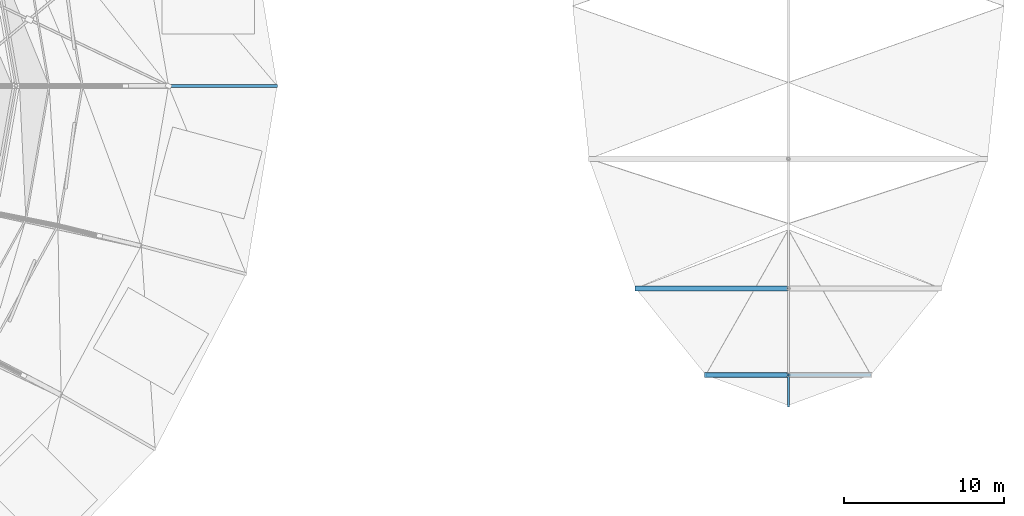
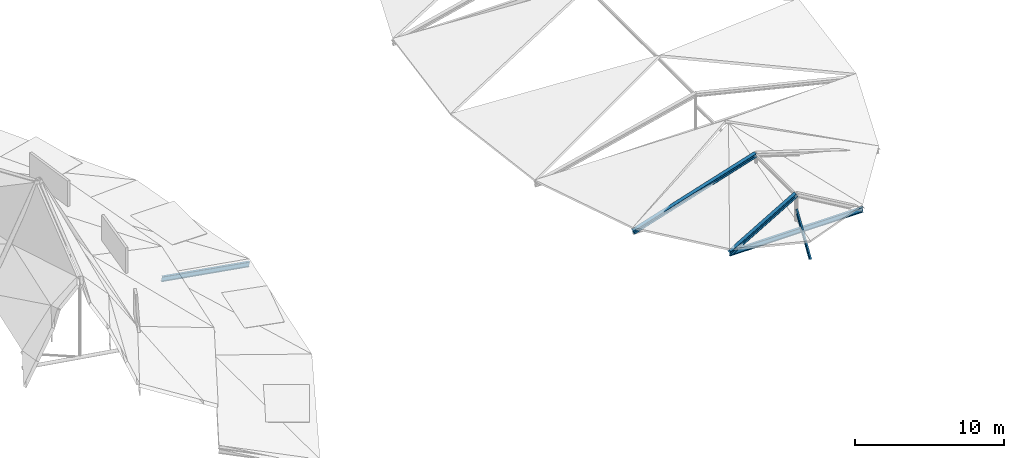
# One storey, part 19 of 36: 3 members, 2 beams.
"""IFC4 building model written with IfcOpenShell, lengths in metres."""

import ifcopenshell
import ifcopenshell.guid

model = None  # the IFC model being written
_history = None  # IfcOwnerHistory: only IFC2X3 demands one
_inside = {}  # id of a spatial element -> (the spatial element, [elements in it])
_under = {}  # id of a project, library or spatial element -> (it, [spatial elements below it])
_declared = {}  # id of a project -> (the project, [libraries it declares])
_typed = {}  # id of a type object -> (the type object, [elements of that type])
_made_of = {}  # id of a material, layer set ... -> (it, [elements and type objects made of it])


def new_model(schema):
    """Start an empty IFC model of exactly this schema.

    Asked for "IFC4X3", IfcOpenShell would pick the latest addendum, in which some entities
    have other attributes; the version numbers below select the first issue.
    IFC2X3 requires an IfcOwnerHistory on every rooted entity: one is made here for all.
    """
    global model, _history
    if schema == "IFC4X3":
        model = ifcopenshell.file(schema_version=(4, 3, 0, 0))
    else:
        model = ifcopenshell.file(schema=schema)
    _inside.clear()
    _under.clear()
    _declared.clear()
    _typed.clear()
    _made_of.clear()
    _history = None
    if model.schema == "IFC2X3":
        org = make("IfcOrganization", Name="unknown")
        user = make(
            "IfcPersonAndOrganization",
            ThePerson=make("IfcPerson", FamilyName="unknown"),
            TheOrganization=org,
        )
        app = make(
            "IfcApplication",
            ApplicationDeveloper=org,
            Version="unknown",
            ApplicationFullName="unknown",
            ApplicationIdentifier="unknown",
        )
        _history = make(
            "IfcOwnerHistory",
            OwningUser=user,
            OwningApplication=app,
            ChangeAction="ADDED",
            CreationDate=0,
        )
    return model


def make(cls, **values):
    """One entity of the class cls with the attributes given. An attribute that is None is left unset."""
    return model.create_entity(
        cls, **{name: value for name, value in values.items() if value is not None}
    )


def rooted(cls, **values):
    """An entity with a GlobalId (a new one), such as an element, a storey or a relation."""
    return make(cls, GlobalId=ifcopenshell.guid.new(), OwnerHistory=_history, **values)


def si_unit(unit_type, name, prefix=None):
    """IfcSIUnit, for example si_unit("LENGTHUNIT", "METRE", prefix="MILLI")."""
    return make("IfcSIUnit", UnitType=unit_type, Prefix=prefix, Name=name)


def assignment(units):
    """IfcUnitAssignment: the units of a project."""
    return None if units is None else make("IfcUnitAssignment", Units=units)


def point(xyz):
    """IfcCartesianPoint."""
    return None if xyz is None else make("IfcCartesianPoint", Coordinates=xyz)


def direction(xyz):
    """IfcDirection."""
    return None if xyz is None else make("IfcDirection", DirectionRatios=xyz)


def frame(location, z_axis=None, x_axis=None):
    """IfcAxis2Placement3D, a coordinate frame: its origin and axes. An axis left out is left unset."""
    return make(
        "IfcAxis2Placement3D",
        Location=point(location),
        Axis=direction(z_axis),
        RefDirection=direction(x_axis),
    )


def frame_2d(location, x_axis=None):
    """IfcAxis2Placement2D, a coordinate frame in the plane: its origin and x axis."""
    return make(
        "IfcAxis2Placement2D", Location=point(location), RefDirection=direction(x_axis)
    )


def origin():
    """The frame at (0, 0, 0) with its axes left unset."""
    return frame((0.0, 0.0, 0.0))


def origin_2d():
    """The frame at (0, 0) in the plane with its x axis left unset."""
    return frame_2d((0.0, 0.0))


def place(relative_to, where):
    """IfcLocalPlacement: puts the frame where relative to a parent placement (None: the world)."""
    return make(
        "IfcLocalPlacement", PlacementRelTo=relative_to, RelativePlacement=where
    )


def context(
    kind, dimensions, precision=None, world=None, true_north=None, identifier=None
):
    """IfcGeometricRepresentationContext, for example the 3D "Model" context."""
    return make(
        "IfcGeometricRepresentationContext",
        ContextIdentifier=identifier,
        ContextType=kind,
        CoordinateSpaceDimension=dimensions,
        Precision=precision,
        WorldCoordinateSystem=world,
        TrueNorth=true_north,
    )


def subcontext(parent, identifier, kind, view, scale=None):
    """IfcGeometricRepresentationSubContext, for example "Body" below "Model"."""
    return make(
        "IfcGeometricRepresentationSubContext",
        ContextIdentifier=identifier,
        ContextType=kind,
        ParentContext=parent,
        TargetScale=scale,
        TargetView=view,
    )


def project(units=None, contexts=None):
    """IfcProject with its units and contexts."""
    return rooted(
        "IfcProject",
        Name="project",
        RepresentationContexts=contexts,
        UnitsInContext=assignment(units),
    )


def spatial(cls, under=None, at=None, **own):
    """A site, building, storey or space (cls), placed at a placement, below another one or the project."""
    s = rooted(cls, ObjectPlacement=at, **own)
    if under is not None:
        _under.setdefault(under.id(), (under, []))[1].append(s)
    return s


def profile(cls, at=None, kind="AREA", **sizes):
    """A parametric profile (cls). Its sizes go by their IFC names, for example OverallWidth=200.0."""
    return make(cls, ProfileType=kind, Position=at, **sizes)


def i_section(**sizes):
    """IfcIShapeProfileDef."""
    return profile("IfcIShapeProfileDef", **sizes)


def extrude(swept, where, along, depth):
    """IfcExtrudedAreaSolid: the profile swept, set in the frame where, extruded along a direction by depth."""
    return make(
        "IfcExtrudedAreaSolid",
        SweptArea=swept,
        Position=where,
        ExtrudedDirection=direction(along),
        Depth=depth,
    )


def shape(context_of_items, identifier, shape_type, items):
    """IfcShapeRepresentation: the items that make up one representation, for example the "Body"."""
    return make(
        "IfcShapeRepresentation",
        ContextOfItems=context_of_items,
        RepresentationIdentifier=identifier,
        RepresentationType=shape_type,
        Items=items,
    )


def material(Name=None, Category=None):
    """IfcMaterial."""
    return make("IfcMaterial", Name=Name, Category=Category)


def material_profile(
    of_material, cross_section, Name=None, Category=None, Priority=None
):
    """IfcMaterialProfile: a cross section and its material."""
    return make(
        "IfcMaterialProfile",
        Name=Name,
        Material=of_material,
        Profile=cross_section,
        Priority=Priority,
        Category=Category,
    )


def profile_set(profiles, Name=None, composite=None):
    """IfcMaterialProfileSet."""
    return make(
        "IfcMaterialProfileSet",
        Name=Name,
        MaterialProfiles=profiles,
        CompositeProfile=composite,
    )


def made_of(thing, what):
    """Note that an element or type object is made of a material, layer set ...; save() writes the relation."""
    if what is not None:
        _made_of.setdefault(what.id(), (what, []))[1].append(thing)
    return thing


def type_object(cls, material=None, **own):
    """A type object (cls), such as IfcWallType, which elements share."""
    return made_of(rooted(cls, **own), material)


def element(
    cls,
    number,
    at=None,
    inside=None,
    cuts=None,
    type_object=None,
    material=None,
    context=None,
    identifier="Body",
    shape_type=None,
    held_by="IfcProductDefinitionShape",
    body=None,
    shapes=None,
    **own,
):
    """One element of the class cls, such as IfcWall. Its Tag is "e" and its number.

    at: its placement. inside: the storey or other place that contains it. cuts: it is an
    opening in that element (IfcRelVoidsElement). A single representation is given by context,
    identifier, shape_type and body (its items); several are given by shapes. held_by: the class
    of the entity that holds the representations. save() writes the other relations.
    """
    e = rooted(cls, Tag="e%d" % number, ObjectPlacement=at, **own)
    if body is not None:
        shapes = [shape(context, identifier, shape_type, body)]
    if shapes is not None:
        e.Representation = make(held_by, Representations=shapes)
    if inside is not None:
        _inside.setdefault(inside.id(), (inside, []))[1].append(e)
    if cuts is not None:
        rooted(
            "IfcRelVoidsElement", RelatingBuildingElement=cuts, RelatedOpeningElement=e
        )
    if type_object is not None:
        _typed.setdefault(type_object.id(), (type_object, []))[1].append(e)
    return made_of(e, material)


def aggregate(whole, parts):
    """IfcRelAggregates: a whole, such as a stair, and the parts it consists of."""
    return rooted("IfcRelAggregates", RelatingObject=whole, RelatedObjects=parts)


def save(model, path):
    """Write the relations noted so far, then the file.

    IfcRelAggregates (storeys below a building ...), IfcRelContainedInSpatialStructure (elements
    in a storey), IfcRelDefinesByType, IfcRelAssociatesMaterial and IfcRelDeclares: one each for
    every whole, place, type object, material and project.
    """
    for whole, parts in _under.values():
        aggregate(whole, parts)
    for where, things in _inside.values():
        rooted(
            "IfcRelContainedInSpatialStructure",
            RelatedElements=things,
            RelatingStructure=where,
        )
    for kind, things in _typed.values():
        rooted("IfcRelDefinesByType", RelatedObjects=things, RelatingType=kind)
    for what, things in _made_of.values():
        rooted("IfcRelAssociatesMaterial", RelatedObjects=things, RelatingMaterial=what)
    for by, libraries in _declared.values():
        rooted("IfcRelDeclares", RelatingContext=by, RelatedDefinitions=libraries)
    model.write(path)


model = new_model("IFC4")

# Units and contexts
model_context = context("Model", 3, precision=1e-05, world=origin(), true_north=direction((0.0, 1.0)))
body_context = subcontext(model_context, "Body", "Model", "MODEL_VIEW")
ifc_project = project(units=[si_unit("LENGTHUNIT", "METRE"), si_unit("AREAUNIT", "SQUARE_METRE"), si_unit("VOLUMEUNIT", "CUBIC_METRE"), si_unit("PLANEANGLEUNIT", "RADIAN"), si_unit("MASSUNIT", "GRAM", prefix="KILO")], contexts=[model_context])

# Site, building, storey
site_placement = place(None, origin())
site = spatial("IfcSite", under=ifc_project, at=site_placement, CompositionType="ELEMENT")
building_placement = place(site_placement, origin())
building = spatial("IfcBuilding", under=site, at=building_placement, Name="Kildeholm Park Wholesale Market", CompositionType="ELEMENT")
storey_placement = place(building_placement, frame((0.0, 0.0, 17.39990234375)))
storey = spatial("IfcBuildingStorey", under=building, at=storey_placement, Name="Roof", CompositionType="ELEMENT", Elevation=17.39990234375)

# Beams
ifc_material = material(Name="Steel S355", Category="steel")
ifc_material_profile_1 = material_profile(ifc_material, i_section(OverallWidth=0.179931640625, OverallDepth=0.39990234375, WebThickness=0.008544921875, FlangeThickness=0.013427734375, FilletRadius=0.02099609375, at=origin_2d()), Name="IPE 400")
ifc_profile_set_1 = profile_set([ifc_material_profile_1], Name="Steel S355")
beam_type = type_object("IfcBeamType", Name="Beam B-P01 IPE 400", PredefinedType="BEAM", material=ifc_profile_set_1)
beam_1_placement = place(storey_placement, frame((156.0, 89.5, -8.02490234375), z_axis=(-0.98599593418, 0.0, 0.16676935504), x_axis=(0.0, -1.0, 0.0)))
element("IfcBeam", 1, at=beam_1_placement, inside=storey, type_object=beam_type, Name="Beam BM-V1-RF-S1-00 BM-0219", PredefinedType="BEAM", context=body_context, shape_type="SweptSolid", body=[
    extrude(i_section(OverallWidth=0.179931640625, OverallDepth=0.39990234375, WebThickness=0.008544921875, FlangeThickness=0.013427734375, FilletRadius=0.02099609375, at=origin_2d()), origin(), (0.0, 0.0, 1.0), 6.896728515625),
])
beam_2_placement = place(storey_placement, frame((182.833984375, 71.403076171875, -5.5751953125), z_axis=(1.0, 0.0, 0.0), x_axis=(0.0, 1.0, 0.0)))
element("IfcBeam", 2, at=beam_2_placement, inside=storey, type_object=beam_type, Name="Beam BM-V2-TIE-11 BM-0476", PredefinedType="BEAM", context=body_context, shape_type="SweptSolid", body=[
    extrude(i_section(OverallWidth=0.179931640625, OverallDepth=0.39990234375, WebThickness=0.008544921875, FlangeThickness=0.013427734375, FilletRadius=0.02099609375, at=origin_2d()), origin(), (0.0, 0.0, 1.0), 10.33203125),
])

# Members
ifc_material_profile_2 = material_profile(ifc_material, i_section(OverallWidth=0.1201171875, OverallDepth=0.239990234375, WebThickness=0.006103515625, FlangeThickness=0.009765625, FilletRadius=0.014892578125, at=origin_2d()), Name="IPE 240")
ifc_profile_set_2 = profile_set([ifc_material_profile_2], Name="Steel S355")
member_type_1 = type_object("IfcMemberType", Name="Member PR-02 IPE 240", PredefinedType="PURLIN", material=ifc_profile_set_2)
member_1_placement = place(storey_placement, frame((188.0, 71.403076171875, -3.73779296875), z_axis=(0.0, -0.535669924709, -0.844427457963), x_axis=(1.0, 0.0, 0.0)))
element("IfcMember", 3, at=member_1_placement, inside=storey, type_object=member_type_1, Name="Member PR-V2-RDG-07 MEM-0331", PredefinedType="PURLIN", context=body_context, shape_type="SweptSolid", body=[
    extrude(i_section(OverallWidth=0.1201171875, OverallDepth=0.239990234375, WebThickness=0.006103515625, FlangeThickness=0.009765625, FilletRadius=0.014892578125, at=origin_2d()), origin(), (0.0, 0.0, 1.0), 3.552734375),
])
ifc_material_profile_3 = material_profile(ifc_material, i_section(OverallWidth=0.300048828125, OverallDepth=0.300048828125, WebThickness=0.010986328125, FlangeThickness=0.01904296875, FilletRadius=0.027099609375, at=origin_2d()), Name="HEB 300")
ifc_profile_set_3 = profile_set([ifc_material_profile_3], Name="Steel S355")
member_type_2 = type_object("IfcMemberType", Name="Member TC-03 HEB 300", PredefinedType="CHORD", material=ifc_profile_set_3)
member_2_placement = place(storey_placement, frame((178.4541015625, 76.822021484375, -5.559814453125), z_axis=(0.953424066202, 0.0, 0.30163313808), x_axis=(0.0, 1.0, 0.0)))
element("IfcMember", 4, at=member_2_placement, inside=storey, type_object=member_type_2, Name="Member TR-V2-TC-10L MEM-0319", PredefinedType="CHORD", context=body_context, shape_type="SweptSolid", body=[
    extrude(i_section(OverallWidth=0.300048828125, OverallDepth=0.300048828125, WebThickness=0.010986328125, FlangeThickness=0.01904296875, FilletRadius=0.027099609375, at=origin_2d()), origin(), (0.0, 0.0, 1.0), 10.01220703125),
])
member_3_placement = place(storey_placement, frame((182.833984375, 71.403076171875, -5.559814453125), z_axis=(0.863304998408, 0.0, 0.504682553417), x_axis=(0.0, 1.0, 0.0)))
element("IfcMember", 5, at=member_3_placement, inside=storey, type_object=member_type_2, Name="Member TR-V2-TC-11L MEM-0322", PredefinedType="CHORD", context=body_context, shape_type="SweptSolid", body=[
    extrude(i_section(OverallWidth=0.300048828125, OverallDepth=0.300048828125, WebThickness=0.010986328125, FlangeThickness=0.01904296875, FilletRadius=0.027099609375, at=origin_2d()), origin(), (0.0, 0.0, 1.0), 5.98388671875),
])

save(model, "model.ifc")
